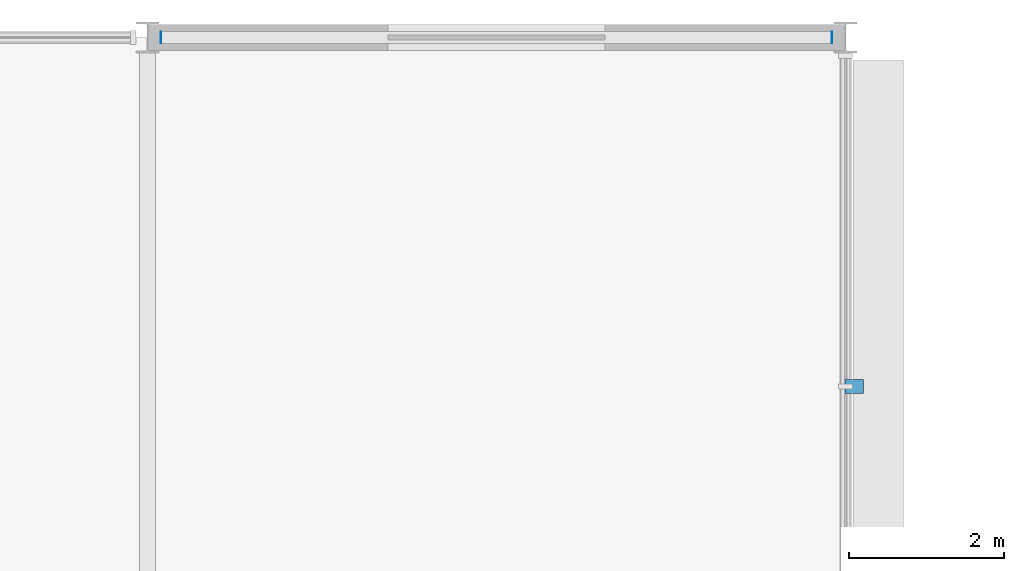
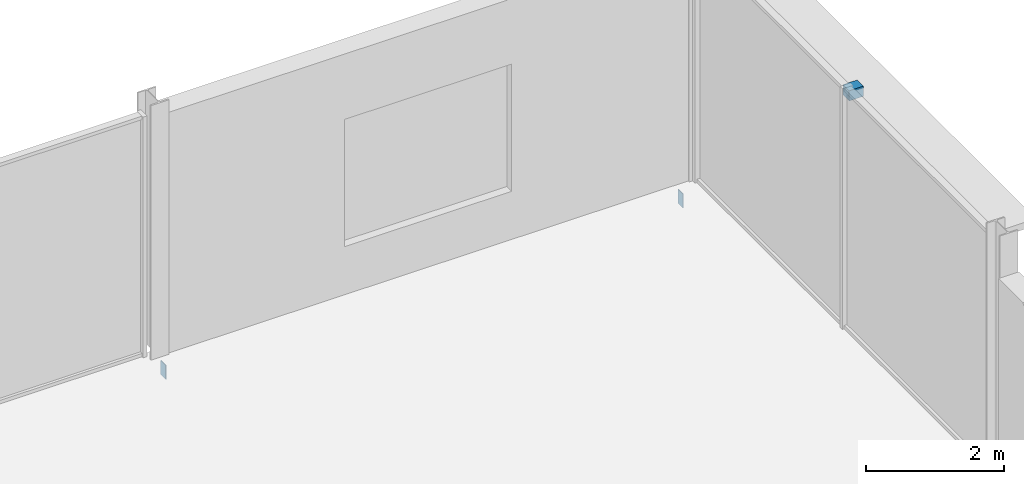
# One storey, part 53 of 73: 3 discrete accessories.
"""IFC4 building model written with IfcOpenShell, lengths in metres."""

from ifc_helpers import new_model, si_unit, direction, frame, origin, origin_2d, place, context, subcontext, project, spatial, polyline, rectangle, outline, extrude, material, layer, layer_set, type_object, element, save


model = new_model("IFC4")

# Units and contexts
model_context = context("Model", 3, precision=1e-05, world=origin(), true_north=direction((0.0, 1.0)))
body_context = subcontext(model_context, "Body", "Model", "MODEL_VIEW")
ifc_project = project(units=[si_unit("LENGTHUNIT", "METRE"), si_unit("AREAUNIT", "SQUARE_METRE"), si_unit("VOLUMEUNIT", "CUBIC_METRE"), si_unit("PLANEANGLEUNIT", "RADIAN"), si_unit("MASSUNIT", "GRAM", prefix="KILO")], contexts=[model_context])

# Site, building, storey
site_placement = place(None, origin())
site = spatial("IfcSite", under=ifc_project, at=site_placement, CompositionType="ELEMENT")
building_placement = place(site_placement, origin())
building = spatial("IfcBuilding", under=site, at=building_placement, Name="Kisiwana Market Hall", CompositionType="ELEMENT")
storey_placement = place(building_placement, frame((0.0, 0.0, 33.300048828125)))
storey = spatial("IfcBuildingStorey", under=building, at=storey_placement, Name="L07", CompositionType="ELEMENT", Elevation=33.300048828125)

# Discrete accessories
ifc_material_1 = material(Name="Steel S355", Category="steel")
discrete_accessory_type_1 = type_object("IfcDiscreteAccessoryType", Name="ACC-BRACKET-STL", PredefinedType="BRACKET", material=ifc_material_1)
discrete_accessory_1_placement = place(storey_placement, frame((45.110107421875, 106.5, 4.044921875), z_axis=(0.0, 0.0, 1.0), x_axis=(0.0, 1.0, 0.0)))
element("IfcDiscreteAccessory", 1, at=discrete_accessory_1_placement, inside=storey, type_object=discrete_accessory_type_1, Name="Sunshade steel bracket BRK-139", PredefinedType="BRACKET", context=body_context, shape_type="SweptSolid", body=[
    extrude(rectangle(XDim=0.179931640625, YDim=0.239990234375, at=origin_2d()), origin(), (0.0, 0.0, 1.0), 0.179931640625),
])
ifc_material_2 = material(Name="Steel S355", Category="steel")
ifc_layer = layer(ifc_material_2, 0.011962890625)
ifc_layer_set = layer_set([ifc_layer], Name="ACC-ENDCAP-STL")
discrete_accessory_type_2 = type_object("IfcDiscreteAccessoryType", Name="ACC-ENDCAP-STL", PredefinedType="USERDEFINED", material=ifc_layer_set)
discrete_accessory_2_placement = place(storey_placement, frame((0.0, 0.0, -0.530029296875)))
element("IfcDiscreteAccessory", 2, at=discrete_accessory_2_placement, inside=storey, type_object=discrete_accessory_type_2, Name="End cap plate EC-0095", ObjectType="End cap plate", PredefinedType="USERDEFINED", context=body_context, shape_type="SweptSolid", body=[
    extrude(outline(polyline([(44.81884765625, 110.925048828125), (44.830810546875, 110.925048828125), (44.830810546875, 111.074951171875), (44.81884765625, 111.074951171875), (44.81884765625, 110.925048828125)])), origin(), (0.0, 0.0, 1.0), 0.25),
])
discrete_accessory_3_placement = place(storey_placement, frame((0.0, 0.0, -0.530029296875)))
element("IfcDiscreteAccessory", 3, at=discrete_accessory_3_placement, inside=storey, type_object=discrete_accessory_type_2, Name="End cap plate EC-0096", ObjectType="End cap plate", PredefinedType="USERDEFINED", context=body_context, shape_type="SweptSolid", body=[
    extrude(outline(polyline([(36.18115234375, 110.925048828125), (36.18115234375, 111.074951171875), (36.169189453125, 111.074951171875), (36.169189453125, 110.925048828125), (36.18115234375, 110.925048828125)])), origin(), (0.0, 0.0, 1.0), 0.25),
])

save(model, "model.ifc")
